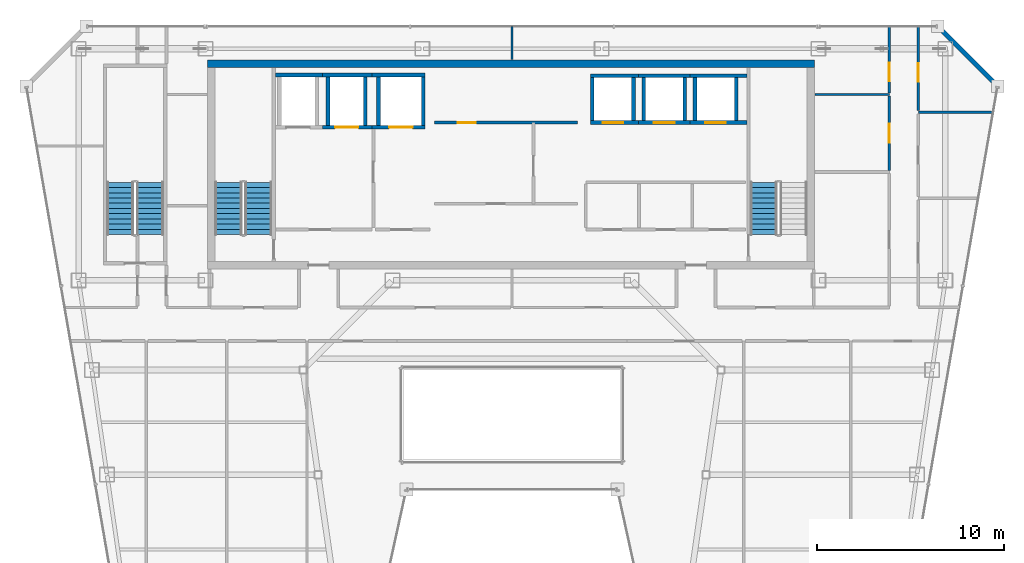
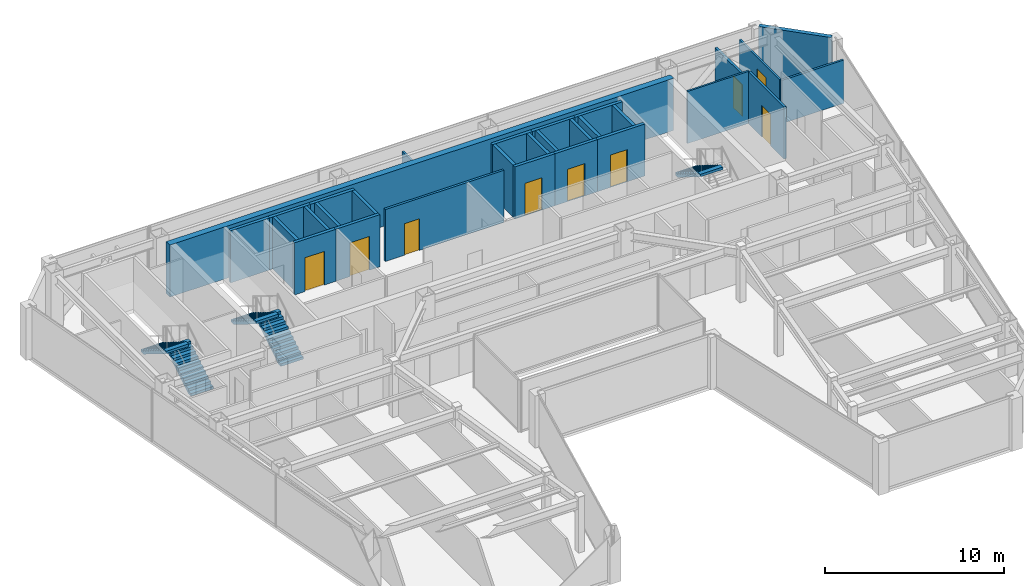
# One storey, part 28 of 33: 30 walls, 9 doors, 5 stair flights, 9 openings, 3 elements without a shape of their own.
"""IFC4 building model written with IfcOpenShell, lengths in metres."""

from ifc_helpers import new_model, si_unit, direction, frame, frame_2d, origin, place, context, subcontext, project, spatial, polyline, rectangle, outline, extrude, material, layer, layer_set, type_object, element, fill, aggregate, save


model = new_model("IFC4")

# Units and contexts
model_context = context("Model", 3, precision=1e-05, world=origin(), true_north=direction((0.0, 1.0)))
body_context = subcontext(model_context, "Body", "Model", "MODEL_VIEW")
ifc_project = project(units=[si_unit("LENGTHUNIT", "METRE"), si_unit("AREAUNIT", "SQUARE_METRE"), si_unit("VOLUMEUNIT", "CUBIC_METRE"), si_unit("PLANEANGLEUNIT", "RADIAN"), si_unit("MASSUNIT", "GRAM", prefix="KILO")], contexts=[model_context])

# Site, building, storey
site_placement = place(None, origin())
site = spatial("IfcSite", under=ifc_project, at=site_placement, CompositionType="ELEMENT")
building_placement = place(site_placement, origin())
building = spatial("IfcBuilding", under=site, at=building_placement, Name="Saevonmaru Cultural Tower", CompositionType="ELEMENT")
storey_placement = place(building_placement, frame((0.0, 0.0, 234.39990234375)))
storey = spatial("IfcBuildingStorey", under=building, at=storey_placement, Name="L54", CompositionType="ELEMENT", Elevation=234.39990234375)

# Wall
ifc_material_1 = material(Name="Concrete C50/60", Category="concrete")
ifc_layer_1 = layer(ifc_material_1, 0.39990234375, Name="Concrete C50/60")
ifc_layer_set_1 = layer_set([ifc_layer_1], Name="Concrete C50/60")
wall_type_1 = type_object("IfcWallType", Name="WL-CORE-400", PredefinedType="SHEAR", material=ifc_layer_set_1)
wall_1_placement = place(storey_placement, frame((13.699951171875, 54.0, 0.0), z_axis=(0.0, 0.0, 1.0), x_axis=(1.0, 0.0, 0.0)))
element("IfcWall", 1, at=wall_1_placement, inside=storey, type_object=wall_type_1, Name="L54 Tower RC core shear wall N", PredefinedType="SHEAR", context=body_context, shape_type="SweptSolid", body=[
    extrude(rectangle(XDim=32.5, YDim=0.39990234375, at=frame_2d((16.25, 0.0))), origin(), (0.0, 0.0, 1.0), 3.550048828125),
])

# Wall, opening, door
ifc_material_2 = material(Name="Gypsum Fireboard Partition", Category="gypsum")
ifc_layer_2 = layer(ifc_material_2, 0.14990234375, Name="Gypsum Fireboard Partition")
ifc_layer_set_2 = layer_set([ifc_layer_2], Name="Gypsum Fireboard Partition")
wall_type_2 = type_object("IfcWallType", Name="WL-CORE-PART-150", PredefinedType="PARTITIONING", material=ifc_layer_set_2)
wall_2_placement = place(storey_placement, frame((25.85009765625, 50.85009765625, 0.0), z_axis=(0.0, 0.0, 1.0), x_axis=(1.0, 0.0, 0.0)))
wall_2 = element("IfcWall", 2, at=wall_2_placement, inside=storey, type_object=wall_type_2, Name="L54 Reclaimed Core Room South Wall", PredefinedType="PARTITIONING", context=body_context, shape_type="SweptSolid", body=[
    extrude(rectangle(XDim=7.64990234375, YDim=0.14990234375, at=frame_2d((3.824951171875, 0.0))), origin(), (0.0, 0.0, 1.0), 3.550048828125),
])
opening_1_placement = place(wall_2_placement, frame((1.25, 0.0, 0.0)))
opening_1 = element("IfcOpeningElement", 3, at=opening_1_placement, cuts=wall_2, Name="Opening FD-4", PredefinedType="OPENING", context=body_context, shape_type="SweptSolid", body=[
    extrude(rectangle(XDim=0.949951171875, YDim=2.14990234375, at=frame_2d((0.47509765625, 1.074951171875))), frame((0.0, 0.0849609375, 0.0), z_axis=(0.0, -1.0, 0.0), x_axis=(1.0, 0.0, 0.0)), (0.0, 0.0, 1.0), 0.169921875),
])
ifc_material_3 = material(Name="Satin Bronze Anodised Aluminium", Category="aluminium")
door_type_1 = type_object("IfcDoorType", Name="DR-FD60-950", OperationType="SINGLE_SWING_LEFT", PredefinedType="DOOR", material=ifc_material_3)
door_1_placement = place(opening_1_placement, origin())
door_1 = element("IfcDoor", 4, at=door_1_placement, inside=storey, type_object=door_type_1, Name="L54 Reclaimed Archive Vault Door", OperationType="SINGLE_SWING_LEFT", OverallHeight=2.14990234375, OverallWidth=0.949951171875, PredefinedType="DOOR", context=body_context, shape_type="SweptSolid", body=[
    extrude(rectangle(XDim=0.949951171875, YDim=2.14990234375, at=frame_2d((0.47509765625, 1.074951171875))), frame((0.0, 0.02490234375, 0.0), z_axis=(0.0, -1.0, 0.0), x_axis=(1.0, 0.0, 0.0)), (0.0, 0.0, 1.0), 0.050048828125),
])
fill(opening_1, door_1)

# Wall
ifc_material_4 = material(Name="Granite-Clad Precast Concrete C40/50", Category="masonry")
ifc_layer_3 = layer(ifc_material_4, 0.260009765625, Name="Granite-Clad Precast Concrete C40/50")
ifc_layer_set_3 = layer_set([ifc_layer_3], Name="Granite-Clad Precast Concrete C40/50")
wall_type_3 = type_object("IfcWallType", Name="WL-EXT-SPANDREL-260", PredefinedType="STANDARD", material=ifc_layer_set_3)
wall_3_placement = place(storey_placement, frame((55.886962890625, 52.9130859375, 0.0), z_axis=(0.0, 0.0, 1.0), x_axis=(-0.707106781187, 0.707106781187, 0.0)))
element("IfcWall", 5, at=wall_3_placement, inside=storey, type_object=wall_type_3, Name="L54 Chamfer Corner Spandrel Wall E9", PredefinedType="STANDARD", context=body_context, shape_type="SweptSolid", body=[
    extrude(rectangle(XDim=4.205810546875, YDim=0.260009765625, at=frame_2d((2.10302734375, 0.0))), origin(), (0.0, 0.0, 1.0), 3.550048828125),
])

# Wall, opening, door
ifc_layer_4 = layer(ifc_material_2, 0.14990234375, Name="Gypsum Fireboard Partition")
ifc_layer_set_4 = layer_set([ifc_layer_4], Name="Gypsum Fireboard Partition")
wall_type_4 = type_object("IfcWallType", Name="WL-PART-FIRE-150", PredefinedType="PARTITIONING", material=ifc_layer_set_4)
wall_4_placement = place(storey_placement, frame((50.199951171875, 48.2900390625, 0.0), z_axis=(0.0, 0.0, 1.0), x_axis=(0.0, 1.0, 0.0)))
wall_4 = element("IfcWall", 6, at=wall_4_placement, inside=storey, type_object=wall_type_4, Name="L54 Chamber Rehearsal Auditorium Corridor Wall", PredefinedType="PARTITIONING", context=body_context, shape_type="SweptSolid", body=[
    extrude(rectangle(XDim=3.97998046875, YDim=0.14990234375, at=frame_2d((1.989990234375, 0.0))), origin(), (0.0, 0.0, 1.0), 3.550048828125),
])
opening_2_placement = place(wall_4_placement, frame((1.489990234375, 0.0, 0.0)))
opening_2 = element("IfcOpeningElement", 7, at=opening_2_placement, cuts=wall_4, Name="Opening ID-1B", PredefinedType="OPENING", context=body_context, shape_type="SweptSolid", body=[
    extrude(rectangle(XDim=1.0, YDim=2.14990234375, at=frame_2d((0.5, 1.074951171875))), frame((0.0, 0.0849609375, 0.0), z_axis=(0.0, -1.0, 0.0), x_axis=(1.0, 0.0, 0.0)), (0.0, 0.0, 1.0), 0.169921875),
])
ifc_material_5 = material(Name="Acoustic Stained Oak Timber", Category="wood")
door_type_2 = type_object("IfcDoorType", Name="DR-INT-1000", OperationType="SINGLE_SWING_RIGHT", PredefinedType="DOOR", material=ifc_material_5)
door_2_placement = place(opening_2_placement, origin())
door_2 = element("IfcDoor", 8, at=door_2_placement, inside=storey, type_object=door_type_2, Name="L54 Chamber Rehearsal Auditorium Door", OperationType="SINGLE_SWING_LEFT", OverallHeight=2.14990234375, OverallWidth=1.0, PredefinedType="DOOR", context=body_context, shape_type="SweptSolid", body=[
    extrude(rectangle(XDim=1.0, YDim=2.14990234375, at=frame_2d((0.5, 1.074951171875))), frame((0.0, 0.02490234375, 0.0), z_axis=(0.0, -1.0, 0.0), x_axis=(1.0, 0.0, 0.0)), (0.0, 0.0, 1.0), 0.050048828125),
])
fill(opening_2, door_2)

wall_5_placement = place(storey_placement, frame((50.199951171875, 52.429931640625, 0.0), z_axis=(0.0, 0.0, 1.0), x_axis=(0.0, 1.0, 0.0)))
wall_5 = element("IfcWall", 9, at=wall_5_placement, inside=storey, type_object=wall_type_4, Name="L54 Media Screening Auditorium Corridor Wall", PredefinedType="PARTITIONING", context=body_context, shape_type="SweptSolid", body=[
    extrude(rectangle(XDim=3.565185546875, YDim=0.14990234375, at=frame_2d((1.78271484375, 0.0))), origin(), (0.0, 0.0, 1.0), 2.93505859375),
])
opening_3_placement = place(wall_5_placement, frame((0.6220703125, 0.0, 0.0)))
opening_3 = element("IfcOpeningElement", 10, at=opening_3_placement, cuts=wall_5, Name="Opening ID-1B", PredefinedType="OPENING", context=body_context, shape_type="SweptSolid", body=[
    extrude(rectangle(XDim=1.0, YDim=2.14990234375, at=frame_2d((0.5, 1.074951171875))), frame((0.0, 0.0849609375, 0.0), z_axis=(0.0, -1.0, 0.0), x_axis=(1.0, 0.0, 0.0)), (0.0, 0.0, 1.0), 0.169921875),
])
door_3_placement = place(opening_3_placement, origin())
door_3 = element("IfcDoor", 11, at=door_3_placement, inside=storey, type_object=door_type_2, Name="L54 Media Screening Auditorium Door", OperationType="SINGLE_SWING_RIGHT", OverallHeight=2.14990234375, OverallWidth=1.0, PredefinedType="DOOR", context=body_context, shape_type="SweptSolid", body=[
    extrude(rectangle(XDim=1.0, YDim=2.14990234375, at=frame_2d((0.5, 1.074951171875))), frame((0.0, 0.02490234375, 0.0), z_axis=(0.0, -1.0, 0.0), x_axis=(1.0, 0.0, 0.0)), (0.0, 0.0, 1.0), 0.050048828125),
])
fill(opening_3, door_3)

# Walls
ifc_layer_5 = layer(ifc_material_2, 0.1201171875, Name="Gypsum Fireboard Partition")
ifc_layer_set_5 = layer_set([ifc_layer_5], Name="Gypsum Fireboard Partition")
wall_type_5 = type_object("IfcWallType", Name="WL-PART-GYP-120", PredefinedType="PARTITIONING", material=ifc_layer_set_5)
wall_6_placement = place(storey_placement, frame((46.219970703125, 52.35009765625, 0.0), z_axis=(0.0, 0.0, 1.0), x_axis=(1.0, 0.0, 0.0)))
element("IfcWall", 12, at=wall_6_placement, inside=storey, type_object=wall_type_5, Name="L54 North-East Panorama South Wall", PredefinedType="PARTITIONING", context=body_context, shape_type="SweptSolid", body=[
    extrude(rectangle(XDim=3.97998046875, YDim=0.1201171875, at=frame_2d((1.989990234375, 0.0))), origin(), (0.0, 0.0, 1.0), 3.550048828125),
])
wall_7_placement = place(storey_placement, frame((30.0, 54.219970703125, 0.0), z_axis=(0.0, 0.0, 1.0), x_axis=(0.0, 1.0, 0.0)))
element("IfcWall", 13, at=wall_7_placement, inside=storey, type_object=wall_type_5, Name="L54 North Panorama Center Split", PredefinedType="PARTITIONING", context=body_context, shape_type="SweptSolid", body=[
    extrude(rectangle(XDim=1.775146484375, YDim=0.1201171875, at=frame_2d((0.8876953125, 0.0))), origin(), (0.0, 0.0, 1.0), 2.93505859375),
])

# Wall, opening, door
wall_8_placement = place(storey_placement, frame((51.75, 51.487548828125, 0.0), z_axis=(0.0, 0.0, 1.0), x_axis=(0.0, 1.0, 0.0)))
wall_8 = element("IfcWall", 14, at=wall_8_placement, inside=storey, type_object=wall_type_5, Name="L54 Botanical Tea Bistro Corridor Wall", PredefinedType="PARTITIONING", context=body_context, shape_type="SweptSolid", body=[
    extrude(rectangle(XDim=4.507568359375, YDim=0.1201171875, at=frame_2d((2.25390625, 0.0))), origin(), (0.0, 0.0, 1.0), 2.93505859375),
])
opening_4_placement = place(wall_8_placement, frame((1.533935546875, 0.0, 0.0)))
opening_4 = element("IfcOpeningElement", 15, at=opening_4_placement, cuts=wall_8, Name="Opening ID-1B", PredefinedType="OPENING", context=body_context, shape_type="SweptSolid", body=[
    extrude(rectangle(XDim=1.0, YDim=2.14990234375, at=frame_2d((0.5, 1.074951171875))), frame((0.0, 0.070068359375, 0.0), z_axis=(0.0, -1.0, 0.0), x_axis=(1.0, 0.0, 0.0)), (0.0, 0.0, 1.0), 0.14013671875),
])
door_4_placement = place(opening_4_placement, origin())
door_4 = element("IfcDoor", 16, at=door_4_placement, inside=storey, type_object=door_type_2, Name="L54 Botanical Tea Bistro Door", OperationType="SINGLE_SWING_LEFT", OverallHeight=2.14990234375, OverallWidth=1.0, PredefinedType="DOOR", context=body_context, shape_type="SweptSolid", body=[
    extrude(rectangle(XDim=1.0, YDim=2.14990234375, at=frame_2d((0.5, 1.074951171875))), frame((0.0, 0.02490234375, 0.0), z_axis=(0.0, -1.0, 0.0), x_axis=(1.0, 0.0, 0.0)), (0.0, 0.0, 1.0), 0.050048828125),
])
fill(opening_4, door_4)

# Walls
ifc_layer_6 = layer(ifc_material_2, 0.135009765625, Name="Gypsum Fireboard Partition")
ifc_layer_set_6 = layer_set([ifc_layer_6], Name="Gypsum Fireboard Partition")
wall_type_6 = type_object("IfcWallType", Name="WL-PART-GYP-135", PredefinedType="PARTITIONING", material=ifc_layer_set_6)
wall_9_placement = place(storey_placement, frame((51.75, 51.39990234375, 0.0), z_axis=(0.0, 0.0, 1.0), x_axis=(1.0, 0.0, 0.0)))
element("IfcWall", 17, at=wall_9_placement, inside=storey, type_object=wall_type_6, Name="L54 NE Studio Divider 2", PredefinedType="PARTITIONING", context=body_context, shape_type="SweptSolid", body=[
    extrude(rectangle(XDim=4.002197265625, YDim=0.135009765625, at=frame_2d((2.0009765625, 0.0))), origin(), (0.0, 0.0, 1.0), 2.947021484375),
])
ifc_material_6 = material(Name="Concrete C40/50", Category="concrete")
ifc_layer_7 = layer(ifc_material_6, 0.199951171875, Name="Concrete C40/50")
ifc_layer_set_7 = layer_set([ifc_layer_7], Name="Concrete C40/50")
wall_type_7 = type_object("IfcWallType", Name="WL-SHAFT-200", PredefinedType="SHEAR", material=ifc_layer_set_7)
wall_10_placement = place(storey_placement, frame((17.330078125, 53.39990234375, 0.0), z_axis=(0.0, 0.0, 1.0), x_axis=(1.0, 0.0, 0.0)))
element("IfcWall", 18, at=wall_10_placement, inside=storey, type_object=wall_type_7, Name="L54 Lift FFL-1 Hoistway Wall N", PredefinedType="SHEAR", context=body_context, shape_type="SweptSolid", body=[
    extrude(rectangle(XDim=2.52001953125, YDim=0.199951171875, at=frame_2d((1.260009765625, 0.0))), origin(), (0.0, 0.0, 1.0), 3.550048828125),
])

# Wall, opening, door
wall_11_placement = place(storey_placement, frame((19.85009765625, 50.60009765625, 0.0), z_axis=(0.0, 0.0, 1.0), x_axis=(1.0, 0.0, 0.0)))
wall_11 = element("IfcWall", 19, at=wall_11_placement, inside=storey, type_object=wall_type_7, Name="L54 Lift FFL-2 Hoistway Wall S", PredefinedType="SHEAR", context=body_context, shape_type="SweptSolid", body=[
    extrude(rectangle(XDim=2.64990234375, YDim=0.199951171875, at=frame_2d((1.324951171875, 0.0))), origin(), (0.0, 0.0, 1.0), 3.550048828125),
])
opening_5_placement = place(wall_11_placement, frame((0.675048828125, 0.0, 0.0)))
opening_5 = element("IfcOpeningElement", 20, at=opening_5_placement, cuts=wall_11, Name="Opening LD-2", PredefinedType="OPENING", context=body_context, shape_type="SweptSolid", body=[
    extrude(rectangle(XDim=1.25, YDim=2.300048828125, at=frame_2d((0.625, 1.14990234375))), frame((0.0, 0.10986328125, 0.0), z_axis=(0.0, -1.0, 0.0), x_axis=(1.0, 0.0, 0.0)), (0.0, 0.0, 1.0), 0.219970703125),
])
ifc_material_7 = material(Name="Stainless Steel 316", Category="steel")
door_type_3 = type_object("IfcDoorType", Name="DR-LIFT-1250", OperationType="SLIDING_TO_LEFT", PredefinedType="DOOR", material=ifc_material_7)
door_5_placement = place(opening_5_placement, origin())
door_5 = element("IfcDoor", 21, at=door_5_placement, inside=storey, type_object=door_type_3, Name="L54 Lift FFL-2 Sliding Landing Door", OperationType="SLIDING_TO_LEFT", OverallHeight=2.300048828125, OverallWidth=1.25, PredefinedType="DOOR", context=body_context, shape_type="SweptSolid", body=[
    extrude(rectangle(XDim=1.25, YDim=2.300048828125, at=frame_2d((0.625, 1.14990234375))), frame((0.0, 0.02490234375, 0.0), z_axis=(0.0, -1.0, 0.0), x_axis=(1.0, 0.0, 0.0)), (0.0, 0.0, 1.0), 0.050048828125),
])
fill(opening_5, door_5)

# Walls
wall_12_placement = place(storey_placement, frame((19.85009765625, 53.39990234375, 0.0), z_axis=(0.0, 0.0, 1.0), x_axis=(1.0, 0.0, 0.0)))
element("IfcWall", 22, at=wall_12_placement, inside=storey, type_object=wall_type_7, Name="L54 Lift FFL-2 Hoistway Wall N", PredefinedType="SHEAR", context=body_context, shape_type="SweptSolid", body=[
    extrude(rectangle(XDim=2.64990234375, YDim=0.199951171875, at=frame_2d((1.324951171875, 0.0))), origin(), (0.0, 0.0, 1.0), 3.550048828125),
])
for number, where, z_axis, x_axis, name in (
    (23, (20.14990234375, 50.699951171875, 0.0), (0.0, 0.0, 1.0), (0.0, 1.0, 0.0), "L54 Lift FFL-2 Hoistway Wall W"),
    (24, (22.14990234375, 50.699951171875, 0.0), (0.0, 0.0, 1.0), (0.0, 1.0, 0.0), "L54 Lift FFL-2 Hoistway Wall E"),
):
    element("IfcWall", number, at=place(storey_placement, frame(where, z_axis=z_axis, x_axis=x_axis)), inside=storey, type_object=wall_type_7, Name=name, PredefinedType="SHEAR", context=body_context, shape_type="SweptSolid", body=[
        extrude(rectangle(XDim=2.60009765625, YDim=0.199951171875, at=frame_2d((1.300048828125, 0.0))), origin(), (0.0, 0.0, 1.0), 3.550048828125),
    ])

# Wall, opening, door
wall_13_placement = place(storey_placement, frame((22.5, 50.60009765625, 0.0), z_axis=(0.0, 0.0, 1.0), x_axis=(1.0, 0.0, 0.0)))
wall_13 = element("IfcWall", 25, at=wall_13_placement, inside=storey, type_object=wall_type_7, Name="L54 Lift GL-1 Hoistway Wall S", PredefinedType="SHEAR", context=body_context, shape_type="SweptSolid", body=[
    extrude(rectangle(XDim=2.85009765625, YDim=0.199951171875, at=frame_2d((1.425048828125, 0.0))), origin(), (0.0, 0.0, 1.0), 3.550048828125),
])
opening_6_placement = place(wall_13_placement, frame((0.925048828125, 0.0, 0.0)))
opening_6 = element("IfcOpeningElement", 26, at=opening_6_placement, cuts=wall_13, Name="Opening LD-2", PredefinedType="OPENING", context=body_context, shape_type="SweptSolid", body=[
    extrude(rectangle(XDim=1.25, YDim=2.300048828125, at=frame_2d((0.625, 1.14990234375))), frame((0.0, 0.10986328125, 0.0), z_axis=(0.0, -1.0, 0.0), x_axis=(1.0, 0.0, 0.0)), (0.0, 0.0, 1.0), 0.219970703125),
])
door_6_placement = place(opening_6_placement, origin())
door_6 = element("IfcDoor", 27, at=door_6_placement, inside=storey, type_object=door_type_3, Name="L54 Lift GL-1 Sliding Landing Door", OperationType="SLIDING_TO_LEFT", OverallHeight=2.300048828125, OverallWidth=1.25, PredefinedType="DOOR", context=body_context, shape_type="SweptSolid", body=[
    extrude(rectangle(XDim=1.25, YDim=2.300048828125, at=frame_2d((0.625, 1.14990234375))), frame((0.0, 0.02490234375, 0.0), z_axis=(0.0, -1.0, 0.0), x_axis=(1.0, 0.0, 0.0)), (0.0, 0.0, 1.0), 0.050048828125),
])
fill(opening_6, door_6)

# Walls
wall_14_placement = place(storey_placement, frame((22.5, 53.39990234375, 0.0), z_axis=(0.0, 0.0, 1.0), x_axis=(1.0, 0.0, 0.0)))
element("IfcWall", 28, at=wall_14_placement, inside=storey, type_object=wall_type_7, Name="L54 Lift GL-1 Hoistway Wall N", PredefinedType="SHEAR", context=body_context, shape_type="SweptSolid", body=[
    extrude(rectangle(XDim=2.85009765625, YDim=0.199951171875, at=frame_2d((1.425048828125, 0.0))), origin(), (0.0, 0.0, 1.0), 3.550048828125),
])
for number, where, z_axis, x_axis, name in (
    (29, (22.85009765625, 50.699951171875, 0.0), (0.0, 0.0, 1.0), (0.0, 1.0, 0.0), "L54 Lift GL-1 Hoistway Wall W"),
    (30, (25.25, 50.699951171875, 0.0), (0.0, 0.0, 1.0), (0.0, 1.0, 0.0), "L54 Lift GL-1 Hoistway Wall E"),
):
    element("IfcWall", number, at=place(storey_placement, frame(where, z_axis=z_axis, x_axis=x_axis)), inside=storey, type_object=wall_type_7, Name=name, PredefinedType="SHEAR", context=body_context, shape_type="SweptSolid", body=[
        extrude(rectangle(XDim=2.60009765625, YDim=0.199951171875, at=frame_2d((1.300048828125, 0.0))), origin(), (0.0, 0.0, 1.0), 3.550048828125),
    ])

# Wall, opening, door
wall_15_placement = place(storey_placement, frame((34.199951171875, 50.85009765625, 0.0), z_axis=(0.0, 0.0, 1.0), x_axis=(1.0, 0.0, 0.0)))
wall_15 = element("IfcWall", 31, at=wall_15_placement, inside=storey, type_object=wall_type_7, Name="L54 Lift PL-H1 Hoistway Wall S", PredefinedType="SHEAR", context=body_context, shape_type="SweptSolid", body=[
    extrude(rectangle(XDim=2.574951171875, YDim=0.199951171875, at=frame_2d((1.28759765625, 0.0))), origin(), (0.0, 0.0, 1.0), 3.550048828125),
])
opening_7_placement = place(wall_15_placement, frame((0.64990234375, 0.0, 0.0)))
opening_7 = element("IfcOpeningElement", 32, at=opening_7_placement, cuts=wall_15, Name="Opening LD-1", PredefinedType="OPENING", context=body_context, shape_type="SweptSolid", body=[
    extrude(rectangle(XDim=1.10009765625, YDim=2.199951171875, at=frame_2d((0.550048828125, 1.10009765625))), frame((0.0, 0.10986328125, 0.0), z_axis=(0.0, -1.0, 0.0), x_axis=(1.0, 0.0, 0.0)), (0.0, 0.0, 1.0), 0.219970703125),
])
ifc_material_8 = material(Name="Satin Bronze Stainless Steel", Category="steel")
door_type_4 = type_object("IfcDoorType", Name="DR-LIFT-1100", OperationType="SLIDING_TO_LEFT", PredefinedType="DOOR", material=ifc_material_8)
door_7_placement = place(opening_7_placement, origin())
door_7 = element("IfcDoor", 33, at=door_7_placement, inside=storey, type_object=door_type_4, Name="L54 Lift PL-H1 Sliding Landing Door", OperationType="SLIDING_TO_LEFT", OverallHeight=2.199951171875, OverallWidth=1.10009765625, PredefinedType="DOOR", context=body_context, shape_type="SweptSolid", body=[
    extrude(rectangle(XDim=1.10009765625, YDim=2.199951171875, at=frame_2d((0.550048828125, 1.10009765625))), frame((0.0, 0.02490234375, 0.0), z_axis=(0.0, -1.0, 0.0), x_axis=(1.0, 0.0, 0.0)), (0.0, 0.0, 1.0), 0.050048828125),
])
fill(opening_7, door_7)

# Walls
wall_16_placement = place(storey_placement, frame((34.199951171875, 53.35009765625, 0.0), z_axis=(0.0, 0.0, 1.0), x_axis=(1.0, 0.0, 0.0)))
element("IfcWall", 34, at=wall_16_placement, inside=storey, type_object=wall_type_7, Name="L54 Lift PL-H1 Hoistway Wall N", PredefinedType="SHEAR", context=body_context, shape_type="SweptSolid", body=[
    extrude(rectangle(XDim=2.574951171875, YDim=0.199951171875, at=frame_2d((1.28759765625, 0.0))), origin(), (0.0, 0.0, 1.0), 3.550048828125),
])
for number, where, z_axis, x_axis, name in (
    (35, (34.300048828125, 50.949951171875, 0.0), (0.0, 0.0, 1.0), (0.0, 1.0, 0.0), "L54 Lift PL-H1 Hoistway Wall W"),
    (36, (36.5, 50.949951171875, 0.0), (0.0, 0.0, 1.0), (0.0, 1.0, 0.0), "L54 Lift PL-H1 Hoistway Wall E"),
):
    element("IfcWall", number, at=place(storey_placement, frame(where, z_axis=z_axis, x_axis=x_axis)), inside=storey, type_object=wall_type_7, Name=name, PredefinedType="SHEAR", context=body_context, shape_type="SweptSolid", body=[
        extrude(rectangle(XDim=2.300048828125, YDim=0.199951171875, at=frame_2d((1.14990234375, 0.0))), origin(), (0.0, 0.0, 1.0), 3.550048828125),
    ])

# Wall, opening, door
wall_17_placement = place(storey_placement, frame((36.77490234375, 50.85009765625, 0.0), z_axis=(0.0, 0.0, 1.0), x_axis=(1.0, 0.0, 0.0)))
wall_17 = element("IfcWall", 37, at=wall_17_placement, inside=storey, type_object=wall_type_7, Name="L54 Lift PL-H2 Hoistway Wall S", PredefinedType="SHEAR", context=body_context, shape_type="SweptSolid", body=[
    extrude(rectangle(XDim=2.75, YDim=0.199951171875, at=frame_2d((1.375, 0.0))), origin(), (0.0, 0.0, 1.0), 3.550048828125),
])
opening_8_placement = place(wall_17_placement, frame((0.824951171875, 0.0, 0.0)))
opening_8 = element("IfcOpeningElement", 38, at=opening_8_placement, cuts=wall_17, Name="Opening LD-1", PredefinedType="OPENING", context=body_context, shape_type="SweptSolid", body=[
    extrude(rectangle(XDim=1.10009765625, YDim=2.199951171875, at=frame_2d((0.550048828125, 1.10009765625))), frame((0.0, 0.10986328125, 0.0), z_axis=(0.0, -1.0, 0.0), x_axis=(1.0, 0.0, 0.0)), (0.0, 0.0, 1.0), 0.219970703125),
])
door_8_placement = place(opening_8_placement, origin())
door_8 = element("IfcDoor", 39, at=door_8_placement, inside=storey, type_object=door_type_4, Name="L54 Lift PL-H2 Sliding Landing Door", OperationType="SLIDING_TO_LEFT", OverallHeight=2.199951171875, OverallWidth=1.10009765625, PredefinedType="DOOR", context=body_context, shape_type="SweptSolid", body=[
    extrude(rectangle(XDim=1.10009765625, YDim=2.199951171875, at=frame_2d((0.550048828125, 1.10009765625))), frame((0.0, 0.02490234375, 0.0), z_axis=(0.0, -1.0, 0.0), x_axis=(1.0, 0.0, 0.0)), (0.0, 0.0, 1.0), 0.050048828125),
])
fill(opening_8, door_8)

# Walls
wall_18_placement = place(storey_placement, frame((36.77490234375, 53.35009765625, 0.0), z_axis=(0.0, 0.0, 1.0), x_axis=(1.0, 0.0, 0.0)))
element("IfcWall", 40, at=wall_18_placement, inside=storey, type_object=wall_type_7, Name="L54 Lift PL-H2 Hoistway Wall N", PredefinedType="SHEAR", context=body_context, shape_type="SweptSolid", body=[
    extrude(rectangle(XDim=2.75, YDim=0.199951171875, at=frame_2d((1.375, 0.0))), origin(), (0.0, 0.0, 1.0), 3.550048828125),
])
for number, where, z_axis, x_axis, name in (
    (41, (37.050048828125, 50.949951171875, 0.0), (0.0, 0.0, 1.0), (0.0, 1.0, 0.0), "L54 Lift PL-H2 Hoistway Wall W"),
    (42, (39.25, 50.949951171875, 0.0), (0.0, 0.0, 1.0), (0.0, 1.0, 0.0), "L54 Lift PL-H2 Hoistway Wall E"),
):
    element("IfcWall", number, at=place(storey_placement, frame(where, z_axis=z_axis, x_axis=x_axis)), inside=storey, type_object=wall_type_7, Name=name, PredefinedType="SHEAR", context=body_context, shape_type="SweptSolid", body=[
        extrude(rectangle(XDim=2.300048828125, YDim=0.199951171875, at=frame_2d((1.14990234375, 0.0))), origin(), (0.0, 0.0, 1.0), 3.550048828125),
    ])

# Wall, opening, door
wall_19_placement = place(storey_placement, frame((39.52490234375, 50.85009765625, 0.0), z_axis=(0.0, 0.0, 1.0), x_axis=(1.0, 0.0, 0.0)))
wall_19 = element("IfcWall", 43, at=wall_19_placement, inside=storey, type_object=wall_type_7, Name="L54 Lift PL-H3 Hoistway Wall S", PredefinedType="SHEAR", context=body_context, shape_type="SweptSolid", body=[
    extrude(rectangle(XDim=3.045166015625, YDim=0.199951171875, at=frame_2d((1.5224609375, 0.0))), origin(), (0.0, 0.0, 1.0), 3.550048828125),
])
opening_9_placement = place(wall_19_placement, frame((0.824951171875, 0.0, 0.0)))
opening_9 = element("IfcOpeningElement", 44, at=opening_9_placement, cuts=wall_19, Name="Opening LD-1", PredefinedType="OPENING", context=body_context, shape_type="SweptSolid", body=[
    extrude(rectangle(XDim=1.10009765625, YDim=2.199951171875, at=frame_2d((0.550048828125, 1.10009765625))), frame((0.0, 0.10986328125, 0.0), z_axis=(0.0, -1.0, 0.0), x_axis=(1.0, 0.0, 0.0)), (0.0, 0.0, 1.0), 0.219970703125),
])
door_9_placement = place(opening_9_placement, origin())
door_9 = element("IfcDoor", 45, at=door_9_placement, inside=storey, type_object=door_type_4, Name="L54 Lift PL-H3 Sliding Landing Door", OperationType="SLIDING_TO_LEFT", OverallHeight=2.199951171875, OverallWidth=1.10009765625, PredefinedType="DOOR", context=body_context, shape_type="SweptSolid", body=[
    extrude(rectangle(XDim=1.10009765625, YDim=2.199951171875, at=frame_2d((0.550048828125, 1.10009765625))), frame((0.0, 0.02490234375, 0.0), z_axis=(0.0, -1.0, 0.0), x_axis=(1.0, 0.0, 0.0)), (0.0, 0.0, 1.0), 0.050048828125),
])
fill(opening_9, door_9)

# Walls
wall_20_placement = place(storey_placement, frame((39.52490234375, 53.35009765625, 0.0), z_axis=(0.0, 0.0, 1.0), x_axis=(1.0, 0.0, 0.0)))
element("IfcWall", 46, at=wall_20_placement, inside=storey, type_object=wall_type_7, Name="L54 Lift PL-H3 Hoistway Wall N", PredefinedType="SHEAR", context=body_context, shape_type="SweptSolid", body=[
    extrude(rectangle(XDim=3.045166015625, YDim=0.199951171875, at=frame_2d((1.5224609375, 0.0))), origin(), (0.0, 0.0, 1.0), 3.550048828125),
])
for number, where, z_axis, x_axis, name in (
    (47, (39.800048828125, 50.949951171875, 0.0), (0.0, 0.0, 1.0), (0.0, 1.0, 0.0), "L54 Lift PL-H3 Hoistway Wall W"),
    (48, (42.0, 50.949951171875, 0.0), (0.0, 0.0, 1.0), (0.0, 1.0, 0.0), "L54 Lift PL-H3 Hoistway Wall E"),
):
    element("IfcWall", number, at=place(storey_placement, frame(where, z_axis=z_axis, x_axis=x_axis)), inside=storey, type_object=wall_type_7, Name=name, PredefinedType="SHEAR", context=body_context, shape_type="SweptSolid", body=[
        extrude(rectangle(XDim=2.300048828125, YDim=0.199951171875, at=frame_2d((1.14990234375, 0.0))), origin(), (0.0, 0.0, 1.0), 3.550048828125),
    ])

# Stair, stair flights
stair_type = type_object("IfcStairType", Name="STR-DOGLEG-RC", PredefinedType="HALF_TURN_STAIR", material=ifc_material_6)
stair_1_placement = place(storey_placement, origin())
stair_1 = element("IfcStair", 49, at=stair_1_placement, inside=storey, type_object=stair_type, Name="L54 Protected exit stair ST-1", PredefinedType="HALF_TURN_STAIR")
ifc_material_9 = material(Name="Precast concrete C40/50", Category="concrete")
stair_flight_type = type_object("IfcStairFlightType", Name="STF-PRECAST-180", PredefinedType="STRAIGHT", material=ifc_material_9)
stair_flight_1_placement = place(storey_placement, frame((16.425048828125, 44.85009765625, 0.0), z_axis=(0.0, 0.0, 1.0), x_axis=(0.0, 1.0, 0.0)))
stair_flight_1 = element("IfcStairFlight", 50, at=stair_flight_1_placement, type_object=stair_flight_type, Name="ST-1-L54 flight 1", NumberOfRisers=11, NumberOfTreads=10, PredefinedType="STRAIGHT", RiserHeight=0.172727273, TreadLength=0.28, context=body_context, shape_type="SweptSolid", body=[
    extrude(outline(polyline([(0.0, 0.0), (0.0, 0.172607421875), (0.280029296875, 0.172607421875), (0.280029296875, 0.345458984375), (0.56005859375, 0.345458984375), (0.56005859375, 0.51806640625), (0.840087890625, 0.51806640625), (0.840087890625, 0.69091796875), (1.1201171875, 0.69091796875), (1.1201171875, 0.863525390625), (1.39990234375, 0.863525390625), (1.39990234375, 1.036376953125), (1.679931640625, 1.036376953125), (1.679931640625, 1.208984375), (1.9599609375, 1.208984375), (1.9599609375, 1.3818359375), (2.239990234375, 1.3818359375), (2.239990234375, 1.554443359375), (2.52001953125, 1.554443359375), (2.52001953125, 1.727294921875), (2.800048828125, 1.727294921875), (2.800048828125, 1.89990234375), (2.800048828125, 1.551025390625), (0.285400390625, 0.0), (0.0, 0.0)])), frame((0.0, 0.72509765625, 0.0), z_axis=(0.0, -1.0, 0.0), x_axis=(1.0, 0.0, 0.0)), (0.0, 0.0, 1.0), 1.449951171875),
])
stair_flight_2_placement = place(storey_placement, frame((14.824951171875, 47.64990234375, 1.900146484375), z_axis=(0.0, 0.0, 1.0), x_axis=(0.0, -1.0, 0.0)))
stair_flight_2 = element("IfcStairFlight", 51, at=stair_flight_2_placement, type_object=stair_flight_type, Name="ST-1-L54 flight 2", NumberOfRisers=11, NumberOfTreads=10, PredefinedType="STRAIGHT", RiserHeight=0.172727273, TreadLength=0.28, context=body_context, shape_type="SweptSolid", body=[
    extrude(outline(polyline([(0.0, 0.0), (0.0, 0.172607421875), (0.280029296875, 0.172607421875), (0.280029296875, 0.345458984375), (0.56005859375, 0.345458984375), (0.56005859375, 0.51806640625), (0.840087890625, 0.51806640625), (0.840087890625, 0.69091796875), (1.1201171875, 0.69091796875), (1.1201171875, 0.863525390625), (1.39990234375, 0.863525390625), (1.39990234375, 1.036376953125), (1.679931640625, 1.036376953125), (1.679931640625, 1.208984375), (1.9599609375, 1.208984375), (1.9599609375, 1.3818359375), (2.239990234375, 1.3818359375), (2.239990234375, 1.554443359375), (2.52001953125, 1.554443359375), (2.52001953125, 1.727294921875), (2.800048828125, 1.727294921875), (2.800048828125, 1.89990234375), (2.800048828125, 1.551025390625), (0.285400390625, 0.0), (0.0, 0.0)])), frame((0.0, 0.72509765625, 0.0), z_axis=(0.0, -1.0, 0.0), x_axis=(1.0, 0.0, 0.0)), (0.0, 0.0, 1.0), 1.449951171875),
])
aggregate(stair_1, [stair_flight_1, stair_flight_2])

# Stair, stair flight
stair_2_placement = place(storey_placement, origin())
stair_2 = element("IfcStair", 52, at=stair_2_placement, inside=storey, type_object=stair_type, Name="L54 Protected exit stair ST-2", PredefinedType="HALF_TURN_STAIR")
stair_flight_3_placement = place(storey_placement, frame((43.47509765625, 47.64990234375, 1.900146484375), z_axis=(0.0, 0.0, 1.0), x_axis=(0.0, -1.0, 0.0)))
stair_flight_3 = element("IfcStairFlight", 53, at=stair_flight_3_placement, type_object=stair_flight_type, Name="ST-2-L54 flight 2", NumberOfRisers=11, NumberOfTreads=10, PredefinedType="STRAIGHT", RiserHeight=0.172727273, TreadLength=0.28, context=body_context, shape_type="SweptSolid", body=[
    extrude(outline(polyline([(0.0, 0.0), (0.0, 0.172607421875), (0.280029296875, 0.172607421875), (0.280029296875, 0.345458984375), (0.56005859375, 0.345458984375), (0.56005859375, 0.51806640625), (0.840087890625, 0.51806640625), (0.840087890625, 0.69091796875), (1.1201171875, 0.69091796875), (1.1201171875, 0.863525390625), (1.39990234375, 0.863525390625), (1.39990234375, 1.036376953125), (1.679931640625, 1.036376953125), (1.679931640625, 1.208984375), (1.9599609375, 1.208984375), (1.9599609375, 1.3818359375), (2.239990234375, 1.3818359375), (2.239990234375, 1.554443359375), (2.52001953125, 1.554443359375), (2.52001953125, 1.727294921875), (2.800048828125, 1.727294921875), (2.800048828125, 1.89990234375), (2.800048828125, 1.551025390625), (0.285400390625, 0.0), (0.0, 0.0)])), frame((0.0, 0.72509765625, 0.0), z_axis=(0.0, -1.0, 0.0), x_axis=(1.0, 0.0, 0.0)), (0.0, 0.0, 1.0), 1.449951171875),
])
aggregate(stair_2, [stair_flight_3])

# Stair, stair flights
stair_3_placement = place(storey_placement, origin())
stair_3 = element("IfcStair", 54, at=stair_3_placement, inside=storey, type_object=stair_type, Name="L54 Protected exit stair ST-3", PredefinedType="HALF_TURN_STAIR")
stair_flight_4_placement = place(storey_placement, frame((10.625, 44.85009765625, 0.0), z_axis=(0.0, 0.0, 1.0), x_axis=(0.0, 1.0, 0.0)))
stair_flight_4 = element("IfcStairFlight", 55, at=stair_flight_4_placement, type_object=stair_flight_type, Name="ST-3-L54 flight 1", NumberOfRisers=11, NumberOfTreads=10, PredefinedType="STRAIGHT", RiserHeight=0.172727273, TreadLength=0.28, context=body_context, shape_type="SweptSolid", body=[
    extrude(outline(polyline([(0.0, 0.0), (0.0, 0.172607421875), (0.280029296875, 0.172607421875), (0.280029296875, 0.345458984375), (0.56005859375, 0.345458984375), (0.56005859375, 0.51806640625), (0.840087890625, 0.51806640625), (0.840087890625, 0.69091796875), (1.1201171875, 0.69091796875), (1.1201171875, 0.863525390625), (1.39990234375, 0.863525390625), (1.39990234375, 1.036376953125), (1.679931640625, 1.036376953125), (1.679931640625, 1.208984375), (1.9599609375, 1.208984375), (1.9599609375, 1.3818359375), (2.239990234375, 1.3818359375), (2.239990234375, 1.554443359375), (2.52001953125, 1.554443359375), (2.52001953125, 1.727294921875), (2.800048828125, 1.727294921875), (2.800048828125, 1.89990234375), (2.800048828125, 1.551025390625), (0.285400390625, 0.0), (0.0, 0.0)])), frame((0.0, 0.72509765625, 0.0), z_axis=(0.0, -1.0, 0.0), x_axis=(1.0, 0.0, 0.0)), (0.0, 0.0, 1.0), 1.449951171875),
])
stair_flight_5_placement = place(storey_placement, frame((9.02490234375, 47.64990234375, 1.900146484375), z_axis=(0.0, 0.0, 1.0), x_axis=(0.0, -1.0, 0.0)))
stair_flight_5 = element("IfcStairFlight", 56, at=stair_flight_5_placement, type_object=stair_flight_type, Name="ST-3-L54 flight 2", NumberOfRisers=11, NumberOfTreads=10, PredefinedType="STRAIGHT", RiserHeight=0.172727273, TreadLength=0.28, context=body_context, shape_type="SweptSolid", body=[
    extrude(outline(polyline([(0.0, 0.0), (0.0, 0.172607421875), (0.280029296875, 0.172607421875), (0.280029296875, 0.345458984375), (0.56005859375, 0.345458984375), (0.56005859375, 0.51806640625), (0.840087890625, 0.51806640625), (0.840087890625, 0.69091796875), (1.1201171875, 0.69091796875), (1.1201171875, 0.863525390625), (1.39990234375, 0.863525390625), (1.39990234375, 1.036376953125), (1.679931640625, 1.036376953125), (1.679931640625, 1.208984375), (1.9599609375, 1.208984375), (1.9599609375, 1.3818359375), (2.239990234375, 1.3818359375), (2.239990234375, 1.554443359375), (2.52001953125, 1.554443359375), (2.52001953125, 1.727294921875), (2.800048828125, 1.727294921875), (2.800048828125, 1.89990234375), (2.800048828125, 1.551025390625), (0.285400390625, 0.0), (0.0, 0.0)])), frame((0.0, 0.72509765625, 0.0), z_axis=(0.0, -1.0, 0.0), x_axis=(1.0, 0.0, 0.0)), (0.0, 0.0, 1.0), 1.449951171875),
])
aggregate(stair_3, [stair_flight_4, stair_flight_5])

save(model, "model.ifc")
